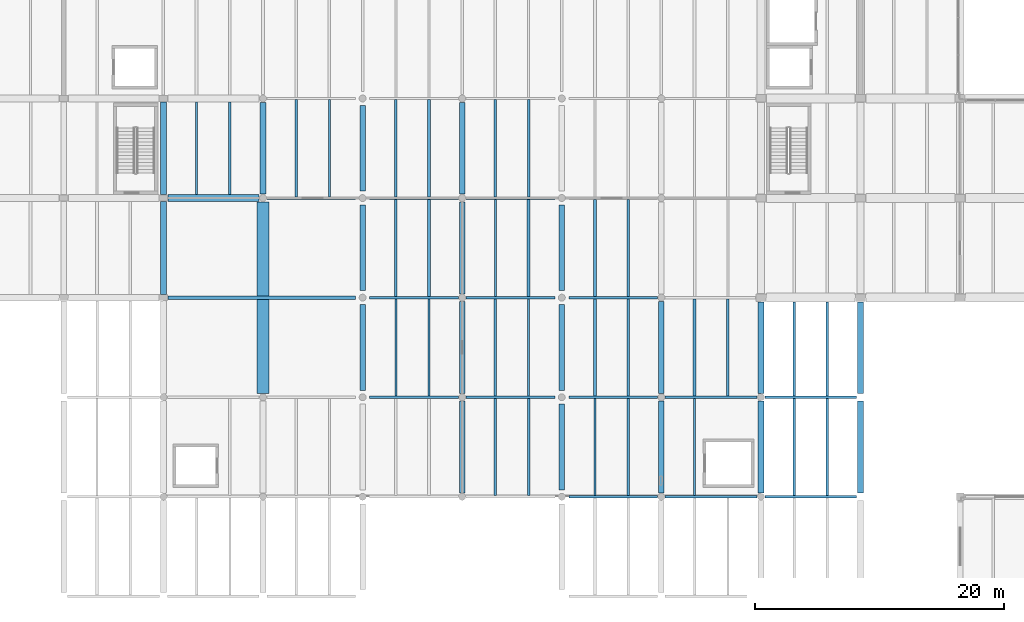
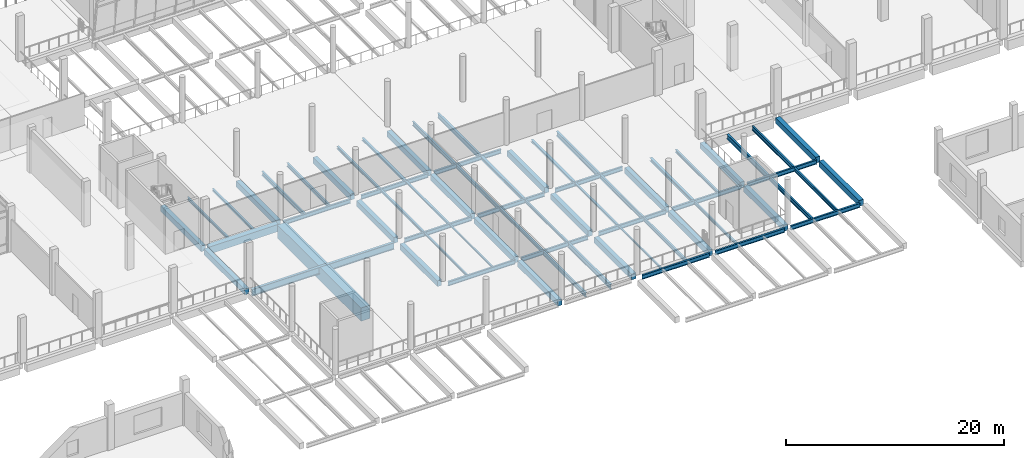
# One storey, part 6 of 61: 67 beams.
"""IFC4 building model written with IfcOpenShell, lengths in metres."""

import ifcopenshell
import ifcopenshell.guid

model = None  # the IFC model being written
_history = None  # IfcOwnerHistory: only IFC2X3 demands one
_inside = {}  # id of a spatial element -> (the spatial element, [elements in it])
_under = {}  # id of a project, library or spatial element -> (it, [spatial elements below it])
_declared = {}  # id of a project -> (the project, [libraries it declares])
_typed = {}  # id of a type object -> (the type object, [elements of that type])
_made_of = {}  # id of a material, layer set ... -> (it, [elements and type objects made of it])


def new_model(schema):
    """Start an empty IFC model of exactly this schema.

    Asked for "IFC4X3", IfcOpenShell would pick the latest addendum, in which some entities
    have other attributes; the version numbers below select the first issue.
    IFC2X3 requires an IfcOwnerHistory on every rooted entity: one is made here for all.
    """
    global model, _history
    if schema == "IFC4X3":
        model = ifcopenshell.file(schema_version=(4, 3, 0, 0))
    else:
        model = ifcopenshell.file(schema=schema)
    _inside.clear()
    _under.clear()
    _declared.clear()
    _typed.clear()
    _made_of.clear()
    _history = None
    if model.schema == "IFC2X3":
        org = make("IfcOrganization", Name="unknown")
        user = make(
            "IfcPersonAndOrganization",
            ThePerson=make("IfcPerson", FamilyName="unknown"),
            TheOrganization=org,
        )
        app = make(
            "IfcApplication",
            ApplicationDeveloper=org,
            Version="unknown",
            ApplicationFullName="unknown",
            ApplicationIdentifier="unknown",
        )
        _history = make(
            "IfcOwnerHistory",
            OwningUser=user,
            OwningApplication=app,
            ChangeAction="ADDED",
            CreationDate=0,
        )
    return model


def make(cls, **values):
    """One entity of the class cls with the attributes given. An attribute that is None is left unset."""
    return model.create_entity(
        cls, **{name: value for name, value in values.items() if value is not None}
    )


def rooted(cls, **values):
    """An entity with a GlobalId (a new one), such as an element, a storey or a relation."""
    return make(cls, GlobalId=ifcopenshell.guid.new(), OwnerHistory=_history, **values)


def si_unit(unit_type, name, prefix=None):
    """IfcSIUnit, for example si_unit("LENGTHUNIT", "METRE", prefix="MILLI")."""
    return make("IfcSIUnit", UnitType=unit_type, Prefix=prefix, Name=name)


def assignment(units):
    """IfcUnitAssignment: the units of a project."""
    return None if units is None else make("IfcUnitAssignment", Units=units)


def point(xyz):
    """IfcCartesianPoint."""
    return None if xyz is None else make("IfcCartesianPoint", Coordinates=xyz)


def direction(xyz):
    """IfcDirection."""
    return None if xyz is None else make("IfcDirection", DirectionRatios=xyz)


def frame(location, z_axis=None, x_axis=None):
    """IfcAxis2Placement3D, a coordinate frame: its origin and axes. An axis left out is left unset."""
    return make(
        "IfcAxis2Placement3D",
        Location=point(location),
        Axis=direction(z_axis),
        RefDirection=direction(x_axis),
    )


def frame_2d(location, x_axis=None):
    """IfcAxis2Placement2D, a coordinate frame in the plane: its origin and x axis."""
    return make(
        "IfcAxis2Placement2D", Location=point(location), RefDirection=direction(x_axis)
    )


def origin():
    """The frame at (0, 0, 0) with its axes left unset."""
    return frame((0.0, 0.0, 0.0))


def origin_2d():
    """The frame at (0, 0) in the plane with its x axis left unset."""
    return frame_2d((0.0, 0.0))


def place(relative_to, where):
    """IfcLocalPlacement: puts the frame where relative to a parent placement (None: the world)."""
    return make(
        "IfcLocalPlacement", PlacementRelTo=relative_to, RelativePlacement=where
    )


def context(
    kind, dimensions, precision=None, world=None, true_north=None, identifier=None
):
    """IfcGeometricRepresentationContext, for example the 3D "Model" context."""
    return make(
        "IfcGeometricRepresentationContext",
        ContextIdentifier=identifier,
        ContextType=kind,
        CoordinateSpaceDimension=dimensions,
        Precision=precision,
        WorldCoordinateSystem=world,
        TrueNorth=true_north,
    )


def subcontext(parent, identifier, kind, view, scale=None):
    """IfcGeometricRepresentationSubContext, for example "Body" below "Model"."""
    return make(
        "IfcGeometricRepresentationSubContext",
        ContextIdentifier=identifier,
        ContextType=kind,
        ParentContext=parent,
        TargetScale=scale,
        TargetView=view,
    )


def project(units=None, contexts=None):
    """IfcProject with its units and contexts."""
    return rooted(
        "IfcProject",
        Name="project",
        RepresentationContexts=contexts,
        UnitsInContext=assignment(units),
    )


def spatial(cls, under=None, at=None, **own):
    """A site, building, storey or space (cls), placed at a placement, below another one or the project."""
    s = rooted(cls, ObjectPlacement=at, **own)
    if under is not None:
        _under.setdefault(under.id(), (under, []))[1].append(s)
    return s


def profile(cls, at=None, kind="AREA", **sizes):
    """A parametric profile (cls). Its sizes go by their IFC names, for example OverallWidth=200.0."""
    return make(cls, ProfileType=kind, Position=at, **sizes)


def rectangle(**sizes):
    """IfcRectangleProfileDef."""
    return profile("IfcRectangleProfileDef", **sizes)


def i_section(**sizes):
    """IfcIShapeProfileDef."""
    return profile("IfcIShapeProfileDef", **sizes)


def extrude(swept, where, along, depth):
    """IfcExtrudedAreaSolid: the profile swept, set in the frame where, extruded along a direction by depth."""
    return make(
        "IfcExtrudedAreaSolid",
        SweptArea=swept,
        Position=where,
        ExtrudedDirection=direction(along),
        Depth=depth,
    )


def shape(context_of_items, identifier, shape_type, items):
    """IfcShapeRepresentation: the items that make up one representation, for example the "Body"."""
    return make(
        "IfcShapeRepresentation",
        ContextOfItems=context_of_items,
        RepresentationIdentifier=identifier,
        RepresentationType=shape_type,
        Items=items,
    )


def material(Name=None, Category=None):
    """IfcMaterial."""
    return make("IfcMaterial", Name=Name, Category=Category)


def material_profile(
    of_material, cross_section, Name=None, Category=None, Priority=None
):
    """IfcMaterialProfile: a cross section and its material."""
    return make(
        "IfcMaterialProfile",
        Name=Name,
        Material=of_material,
        Profile=cross_section,
        Priority=Priority,
        Category=Category,
    )


def profile_set(profiles, Name=None, composite=None):
    """IfcMaterialProfileSet."""
    return make(
        "IfcMaterialProfileSet",
        Name=Name,
        MaterialProfiles=profiles,
        CompositeProfile=composite,
    )


def made_of(thing, what):
    """Note that an element or type object is made of a material, layer set ...; save() writes the relation."""
    if what is not None:
        _made_of.setdefault(what.id(), (what, []))[1].append(thing)
    return thing


def type_object(cls, material=None, **own):
    """A type object (cls), such as IfcWallType, which elements share."""
    return made_of(rooted(cls, **own), material)


def element(
    cls,
    number,
    at=None,
    inside=None,
    cuts=None,
    type_object=None,
    material=None,
    context=None,
    identifier="Body",
    shape_type=None,
    held_by="IfcProductDefinitionShape",
    body=None,
    shapes=None,
    **own,
):
    """One element of the class cls, such as IfcWall. Its Tag is "e" and its number.

    at: its placement. inside: the storey or other place that contains it. cuts: it is an
    opening in that element (IfcRelVoidsElement). A single representation is given by context,
    identifier, shape_type and body (its items); several are given by shapes. held_by: the class
    of the entity that holds the representations. save() writes the other relations.
    """
    e = rooted(cls, Tag="e%d" % number, ObjectPlacement=at, **own)
    if body is not None:
        shapes = [shape(context, identifier, shape_type, body)]
    if shapes is not None:
        e.Representation = make(held_by, Representations=shapes)
    if inside is not None:
        _inside.setdefault(inside.id(), (inside, []))[1].append(e)
    if cuts is not None:
        rooted(
            "IfcRelVoidsElement", RelatingBuildingElement=cuts, RelatedOpeningElement=e
        )
    if type_object is not None:
        _typed.setdefault(type_object.id(), (type_object, []))[1].append(e)
    return made_of(e, material)


def aggregate(whole, parts):
    """IfcRelAggregates: a whole, such as a stair, and the parts it consists of."""
    return rooted("IfcRelAggregates", RelatingObject=whole, RelatedObjects=parts)


def save(model, path):
    """Write the relations noted so far, then the file.

    IfcRelAggregates (storeys below a building ...), IfcRelContainedInSpatialStructure (elements
    in a storey), IfcRelDefinesByType, IfcRelAssociatesMaterial and IfcRelDeclares: one each for
    every whole, place, type object, material and project.
    """
    for whole, parts in _under.values():
        aggregate(whole, parts)
    for where, things in _inside.values():
        rooted(
            "IfcRelContainedInSpatialStructure",
            RelatedElements=things,
            RelatingStructure=where,
        )
    for kind, things in _typed.values():
        rooted("IfcRelDefinesByType", RelatedObjects=things, RelatingType=kind)
    for what, things in _made_of.values():
        rooted("IfcRelAssociatesMaterial", RelatedObjects=things, RelatingMaterial=what)
    for by, libraries in _declared.values():
        rooted("IfcRelDeclares", RelatingContext=by, RelatedDefinitions=libraries)
    model.write(path)


model = new_model("IFC4")

# Units and contexts
model_context = context("Model", 3, precision=1e-05, world=origin(), true_north=direction((0.0, 1.0)))
body_context = subcontext(model_context, "Body", "Model", "MODEL_VIEW")
ifc_project = project(units=[si_unit("LENGTHUNIT", "METRE"), si_unit("AREAUNIT", "SQUARE_METRE"), si_unit("VOLUMEUNIT", "CUBIC_METRE"), si_unit("PLANEANGLEUNIT", "RADIAN"), si_unit("MASSUNIT", "GRAM", prefix="KILO")], contexts=[model_context])

# Site, building, storey
site_placement = place(None, origin())
site = spatial("IfcSite", under=ifc_project, at=site_placement, CompositionType="ELEMENT")
building_placement = place(site_placement, origin())
building = spatial("IfcBuilding", under=site, at=building_placement, Name="Pecanmere Concourse Central Library", CompositionType="ELEMENT")
storey_placement = place(building_placement, frame((0.0, 0.0, 5.39990234375)))
storey = spatial("IfcBuildingStorey", under=building, at=storey_placement, Name="L02", CompositionType="ELEMENT", Elevation=5.39990234375)

# Beams
ifc_material_1 = material(Name="Concrete C40/50", Category="concrete")
ifc_material_profile_1 = material_profile(ifc_material_1, rectangle(XDim=0.4599609375, YDim=0.64990234375, at=origin_2d()), Name="RC 460x650")
ifc_profile_set_1 = profile_set([ifc_material_profile_1], Name="Concrete C40/50")
beam_type_1 = type_object("IfcBeamType", Name="GRD_460x650", PredefinedType="USERDEFINED", material=ifc_profile_set_1)
for number, where, z_axis, x_axis, name in (
    (1, (64.0, 48.27001953125, -0.69482421875), (0.0, 1.0, 0.0), (-1.0, 0.0, 0.0), "Primary Girder Y L02-1024"),
    (2, (64.0, 56.27001953125, -0.69482421875), (0.0, 1.0, 0.0), (-1.0, 0.0, 0.0), "Primary Girder Y L02-1025"),
):
    element("IfcBeam", number, at=place(storey_placement, frame(where, z_axis=z_axis, x_axis=x_axis)), inside=storey, type_object=beam_type_1, Name=name, ObjectType="GIRDER", PredefinedType="USERDEFINED", context=body_context, shape_type="SweptSolid", body=[
        extrude(rectangle(XDim=0.4599609375, YDim=0.64990234375, at=origin_2d()), origin(), (0.0, 0.0, 1.0), 7.4599609375),
    ])
beam_1_placement = place(storey_placement, frame((72.0, 56.31005859375, -0.69482421875), z_axis=(0.0, 1.0, 0.0), x_axis=(-1.0, 0.0, 0.0)))
element("IfcBeam", 3, at=beam_1_placement, inside=storey, type_object=beam_type_1, Name="Primary Girder Y L02-1034", ObjectType="GIRDER", PredefinedType="USERDEFINED", context=body_context, shape_type="SweptSolid", body=[
    extrude(rectangle(XDim=0.4599609375, YDim=0.64990234375, at=origin_2d()), origin(), (0.0, 0.0, 1.0), 7.3798828125),
])
for number, where, z_axis, x_axis, name in (
    (4, (80.0, 40.56005859375, -0.69482421875), (0.0, 1.0, 0.0), (-1.0, 0.0, 0.0), "Primary Girder Y L02-1044"),
    (5, (80.0, 48.56005859375, -0.69482421875), (0.0, 1.0, 0.0), (-1.0, 0.0, 0.0), "Primary Girder Y L02-1045"),
    (6, (80.0, 56.56005859375, -0.69482421875), (0.0, 1.0, 0.0), (-1.0, 0.0, 0.0), "Primary Girder Y L02-1046"),
):
    element("IfcBeam", number, at=place(storey_placement, frame(where, z_axis=z_axis, x_axis=x_axis)), inside=storey, type_object=beam_type_1, Name=name, ObjectType="GIRDER", PredefinedType="USERDEFINED", context=body_context, shape_type="SweptSolid", body=[
        extrude(rectangle(XDim=0.4599609375, YDim=0.64990234375, at=origin_2d()), origin(), (0.0, 0.0, 1.0), 6.8798828125),
    ])
for number, where, z_axis, x_axis, name in (
    (7, (88.0, 32.31005859375, -0.69482421875), (0.0, 1.0, 0.0), (-1.0, 0.0, 0.0), "Primary Girder Y L02-1053"),
    (8, (88.0, 40.31005859375, -0.69482421875), (0.0, 1.0, 0.0), (-1.0, 0.0, 0.0), "Primary Girder Y L02-1054"),
    (9, (88.0, 48.31005859375, -0.69482421875), (0.0, 1.0, 0.0), (-1.0, 0.0, 0.0), "Primary Girder Y L02-1055"),
    (10, (88.0, 56.31005859375, -0.69482421875), (0.0, 1.0, 0.0), (-1.0, 0.0, 0.0), "Primary Girder Y L02-1056"),
):
    element("IfcBeam", number, at=place(storey_placement, frame(where, z_axis=z_axis, x_axis=x_axis)), inside=storey, type_object=beam_type_1, Name=name, ObjectType="GIRDER", PredefinedType="USERDEFINED", context=body_context, shape_type="SweptSolid", body=[
        extrude(rectangle(XDim=0.4599609375, YDim=0.64990234375, at=origin_2d()), origin(), (0.0, 0.0, 1.0), 7.3798828125),
    ])
for number, where, z_axis, x_axis, name in (
    (11, (96.0, 32.56005859375, -0.69482421875), (0.0, 1.0, 0.0), (-1.0, 0.0, 0.0), "Primary Girder Y L02-1063"),
    (12, (96.0, 40.56005859375, -0.69482421875), (0.0, 1.0, 0.0), (-1.0, 0.0, 0.0), "Primary Girder Y L02-1064"),
    (13, (96.0, 48.56005859375, -0.69482421875), (0.0, 1.0, 0.0), (-1.0, 0.0, 0.0), "Primary Girder Y L02-1065"),
):
    element("IfcBeam", number, at=place(storey_placement, frame(where, z_axis=z_axis, x_axis=x_axis)), inside=storey, type_object=beam_type_1, Name=name, ObjectType="GIRDER", PredefinedType="USERDEFINED", context=body_context, shape_type="SweptSolid", body=[
        extrude(rectangle(XDim=0.4599609375, YDim=0.64990234375, at=origin_2d()), origin(), (0.0, 0.0, 1.0), 6.8798828125),
    ])
for number, where, z_axis, x_axis, name in (
    (14, (104.0, 32.31005859375, -0.69482421875), (0.0, 1.0, 0.0), (-1.0, 0.0, 0.0), "Primary Girder Y L02-1075"),
    (15, (104.0, 40.31005859375, -0.69482421875), (0.0, 1.0, 0.0), (-1.0, 0.0, 0.0), "Primary Girder Y L02-1076"),
    (16, (112.0, 32.31005859375, -0.69482421875), (0.0, 1.0, 0.0), (-1.0, 0.0, 0.0), "Primary Girder Y L02-1087"),
):
    element("IfcBeam", number, at=place(storey_placement, frame(where, z_axis=z_axis, x_axis=x_axis)), inside=storey, type_object=beam_type_1, Name=name, ObjectType="GIRDER", PredefinedType="USERDEFINED", context=body_context, shape_type="SweptSolid", body=[
        extrude(rectangle(XDim=0.4599609375, YDim=0.64990234375, at=origin_2d()), origin(), (0.0, 0.0, 1.0), 7.3798828125),
    ])
beam_2_placement = place(storey_placement, frame((112.0, 40.31005859375, -0.69482421875), z_axis=(0.0, 1.0, 0.0), x_axis=(-1.0, 0.0, 0.0)))
element("IfcBeam", 17, at=beam_2_placement, inside=storey, type_object=beam_type_1, Name="Primary Girder Y L02-1088", ObjectType="GIRDER", PredefinedType="USERDEFINED", context=body_context, shape_type="SweptSolid", body=[
    extrude(rectangle(XDim=0.4599609375, YDim=0.64990234375, at=origin_2d()), origin(), (0.0, 0.0, 1.0), 7.35986328125),
])
beam_3_placement = place(storey_placement, frame((120.0, 32.31005859375, -0.69482421875), z_axis=(0.0, 1.0, 0.0), x_axis=(-1.0, 0.0, 0.0)))
element("IfcBeam", 18, at=beam_3_placement, inside=storey, type_object=beam_type_1, Name="Primary Girder Y L02-1097", ObjectType="GIRDER", PredefinedType="USERDEFINED", context=body_context, shape_type="SweptSolid", body=[
    extrude(rectangle(XDim=0.4599609375, YDim=0.64990234375, at=origin_2d()), origin(), (0.0, 0.0, 1.0), 7.3798828125),
])
beam_4_placement = place(storey_placement, frame((120.0, 40.31005859375, -0.69482421875), z_axis=(0.0, 1.0, 0.0), x_axis=(-1.0, 0.0, 0.0)))
element("IfcBeam", 19, at=beam_4_placement, inside=storey, type_object=beam_type_1, Name="Primary Girder Y L02-1098", ObjectType="GIRDER", PredefinedType="USERDEFINED", context=body_context, shape_type="SweptSolid", body=[
    extrude(rectangle(XDim=0.4599609375, YDim=0.64990234375, at=origin_2d()), origin(), (0.0, 0.0, 1.0), 7.35986328125),
])
ifc_material_2 = material(Name="Concrete C40/50", Category="concrete")
ifc_material_profile_2 = material_profile(ifc_material_2, rectangle(XDim=0.5400390625, YDim=0.800048828125, at=origin_2d()), Name="RC 540x800")
ifc_profile_set_2 = profile_set([ifc_material_profile_2], Name="Concrete C40/50")
beam_type_2 = type_object("IfcBeamType", Name="GRD_540x800", PredefinedType="USERDEFINED", material=ifc_profile_set_2)
beam_5_placement = place(storey_placement, frame((64.3701171875, 56.0, -0.77001953125), z_axis=(1.0, 0.0, 0.0), x_axis=(0.0, 1.0, 0.0)))
element("IfcBeam", 20, at=beam_5_placement, inside=storey, type_object=beam_type_2, Name="Primary Girder X L02-0858", ObjectType="GIRDER", PredefinedType="USERDEFINED", context=body_context, shape_type="SweptSolid", body=[
    extrude(rectangle(XDim=0.5400390625, YDim=0.800048828125, at=origin_2d()), origin(), (0.0, 0.0, 1.0), 7.31982421875),
])
ifc_material_3 = material(Name="Structural steel ASTM A992 Grade 50", Category="steel")
ifc_material_profile_3 = material_profile(ifc_material_3, i_section(OverallWidth=0.152099609375, OverallDepth=0.152099609375, WebThickness=0.005859375, FlangeThickness=0.006591796875, at=origin_2d()), Name="W150x22.5")
ifc_profile_set_3 = profile_set([ifc_material_profile_3], Name="Structural steel ASTM A992 Grade 50")
beam_type_3 = type_object("IfcBeamType", Name="SBM_W150x22", PredefinedType="LINTEL", material=ifc_profile_set_3)
for number, where, z_axis, x_axis, name in (
    (21, (85.333251953125, 40.096923828125, -0.44580078125), (0.0, 1.0, 0.0), (-1.0, 0.0, 0.0), "Secondary Floor Joist L02-1294"),
    (22, (98.666748046875, 32.096923828125, -0.44580078125), (0.0, 1.0, 0.0), (-1.0, 0.0, 0.0), "Secondary Floor Joist L02-1327"),
):
    element("IfcBeam", number, at=place(storey_placement, frame(where, z_axis=z_axis, x_axis=x_axis)), inside=storey, type_object=beam_type_3, Name=name, PredefinedType="LINTEL", context=body_context, shape_type="SweptSolid", body=[
        extrude(i_section(OverallWidth=0.152099609375, OverallDepth=0.152099609375, WebThickness=0.005859375, FlangeThickness=0.006591796875, at=origin_2d()), origin(), (0.0, 0.0, 1.0), 7.80615234375),
    ])
ifc_material_4 = material(Name="Structural steel ASTM A992 Grade 50", Category="steel")
ifc_material_profile_4 = material_profile(ifc_material_4, i_section(OverallWidth=0.1650390625, OverallDepth=0.200927734375, WebThickness=0.006103515625, FlangeThickness=0.01025390625, at=origin_2d()), Name="W200x35.9")
ifc_profile_set_4 = profile_set([ifc_material_profile_4], Name="Structural steel ASTM A992 Grade 50")
beam_type_4 = type_object("IfcBeamType", Name="SBM_W200x36", PredefinedType="LINTEL", material=ifc_profile_set_4)
beam_6_placement = place(storey_placement, frame((82.666748046875, 40.096923828125, -0.470458984375), z_axis=(0.0, 1.0, 0.0), x_axis=(-1.0, 0.0, 0.0)))
element("IfcBeam", 23, at=beam_6_placement, inside=storey, type_object=beam_type_4, Name="Secondary Floor Joist L02-1293", PredefinedType="LINTEL", context=body_context, shape_type="SweptSolid", body=[
    extrude(i_section(OverallWidth=0.1650390625, OverallDepth=0.200927734375, WebThickness=0.006103515625, FlangeThickness=0.01025390625, at=origin_2d()), origin(), (0.0, 0.0, 1.0), 7.80615234375),
])
ifc_material_5 = material(Name="Structural steel ASTM A992 Grade 50", Category="steel")
ifc_material_profile_5 = material_profile(ifc_material_5, i_section(OverallWidth=0.2041015625, OverallDepth=0.2060546875, WebThickness=0.0078125, FlangeThickness=0.0126953125, at=origin_2d()), Name="W200x52")
ifc_profile_set_5 = profile_set([ifc_material_profile_5], Name="Structural steel ASTM A992 Grade 50")
beam_type_5 = type_object("IfcBeamType", Name="SBM_W200x52", PredefinedType="JOIST", material=ifc_profile_set_5)
for number, where, z_axis, x_axis, name in (
    (24, (85.333251953125, 48.096923828125, -0.472900390625), (0.0, 1.0, 0.0), (-1.0, 0.0, 0.0), "Secondary Floor Joist L02-1296"),
    (25, (98.666748046875, 40.096923828125, -0.472900390625), (0.0, 1.0, 0.0), (-1.0, 0.0, 0.0), "Secondary Floor Joist L02-1329"),
):
    element("IfcBeam", number, at=place(storey_placement, frame(where, z_axis=z_axis, x_axis=x_axis)), inside=storey, type_object=beam_type_5, Name=name, PredefinedType="JOIST", context=body_context, shape_type="SweptSolid", body=[
        extrude(i_section(OverallWidth=0.2041015625, OverallDepth=0.2060546875, WebThickness=0.0078125, FlangeThickness=0.0126953125, at=origin_2d()), origin(), (0.0, 0.0, 1.0), 7.80615234375),
    ])
ifc_material_6 = material(Name="Structural steel ASTM A992 Grade 50", Category="steel")
ifc_material_profile_6 = material_profile(ifc_material_6, i_section(OverallWidth=0.201904296875, OverallDepth=0.2470703125, WebThickness=0.00732421875, FlangeThickness=0.010986328125, at=origin_2d()), Name="W250x49.1")
ifc_profile_set_6 = profile_set([ifc_material_profile_6], Name="Structural steel ASTM A992 Grade 50")
beam_type_6 = type_object("IfcBeamType", Name="SBM_W250x49", PredefinedType="JOIST", material=ifc_profile_set_6)
beam_7_placement = place(storey_placement, frame((69.333251953125, 56.27001953125, -0.493408203125), z_axis=(0.0, 1.0, 0.0), x_axis=(-1.0, 0.0, 0.0)))
element("IfcBeam", 26, at=beam_7_placement, inside=storey, type_object=beam_type_6, Name="Secondary Floor Joist L02-1265", PredefinedType="JOIST", context=body_context, shape_type="SweptSolid", body=[
    extrude(i_section(OverallWidth=0.201904296875, OverallDepth=0.2470703125, WebThickness=0.00732421875, FlangeThickness=0.010986328125, at=origin_2d()), origin(), (0.0, 0.0, 1.0), 7.4599609375),
])
beam_8_placement = place(storey_placement, frame((82.666748046875, 48.096923828125, -0.493408203125), z_axis=(0.0, 1.0, 0.0), x_axis=(-1.0, 0.0, 0.0)))
element("IfcBeam", 27, at=beam_8_placement, inside=storey, type_object=beam_type_6, Name="Secondary Floor Joist L02-1295", PredefinedType="JOIST", context=body_context, shape_type="SweptSolid", body=[
    extrude(i_section(OverallWidth=0.201904296875, OverallDepth=0.2470703125, WebThickness=0.00732421875, FlangeThickness=0.010986328125, at=origin_2d()), origin(), (0.0, 0.0, 1.0), 7.80615234375),
])
ifc_material_7 = material(Name="Structural steel ASTM A992 Grade 50", Category="steel")
ifc_material_profile_7 = material_profile(ifc_material_7, i_section(OverallWidth=0.25390625, OverallDepth=0.2529296875, WebThickness=0.008544921875, FlangeThickness=0.01416015625, at=origin_2d()), Name="W250x73")
ifc_profile_set_7 = profile_set([ifc_material_profile_7], Name="Structural steel ASTM A992 Grade 50")
beam_type_7 = type_object("IfcBeamType", Name="SBM_W250x73", PredefinedType="BEAM", material=ifc_profile_set_7)
for number, where, z_axis, x_axis, name in (
    (28, (85.333251953125, 56.096923828125, -0.496337890625), (0.0, 1.0, 0.0), (-1.0, 0.0, 0.0), "Secondary Floor Joist L02-1298"),
    (29, (98.666748046875, 48.096923828125, -0.496337890625), (0.0, 1.0, 0.0), (-1.0, 0.0, 0.0), "Secondary Floor Joist L02-1331"),
):
    element("IfcBeam", number, at=place(storey_placement, frame(where, z_axis=z_axis, x_axis=x_axis)), inside=storey, type_object=beam_type_7, Name=name, PredefinedType="BEAM", context=body_context, shape_type="SweptSolid", body=[
        extrude(i_section(OverallWidth=0.25390625, OverallDepth=0.2529296875, WebThickness=0.008544921875, FlangeThickness=0.01416015625, at=origin_2d()), origin(), (0.0, 0.0, 1.0), 7.80615234375),
    ])
ifc_material_8 = material(Name="Structural steel ASTM A992 Grade 50", Category="steel")
ifc_material_profile_8 = material_profile(ifc_material_8, i_section(OverallWidth=0.1669921875, OverallDepth=0.31689453125, WebThickness=0.007568359375, FlangeThickness=0.01318359375, at=origin_2d()), Name="W310x52")
ifc_profile_set_8 = profile_set([ifc_material_profile_8], Name="Structural steel ASTM A992 Grade 50")
beam_type_8 = type_object("IfcBeamType", Name="SBM_W310x52", PredefinedType="JOIST", material=ifc_profile_set_8)
beam_9_placement = place(storey_placement, frame((66.666748046875, 56.27001953125, -0.5283203125), z_axis=(0.0, 1.0, 0.0), x_axis=(-1.0, 0.0, 0.0)))
element("IfcBeam", 30, at=beam_9_placement, inside=storey, type_object=beam_type_8, Name="Secondary Floor Joist L02-1264", PredefinedType="JOIST", context=body_context, shape_type="SweptSolid", body=[
    extrude(i_section(OverallWidth=0.1669921875, OverallDepth=0.31689453125, WebThickness=0.007568359375, FlangeThickness=0.01318359375, at=origin_2d()), origin(), (0.0, 0.0, 1.0), 7.4599609375),
])
for number, where, z_axis, x_axis, name in (
    (31, (93.333251953125, 40.096923828125, -0.5283203125), (0.0, 1.0, 0.0), (-1.0, 0.0, 0.0), "Secondary Floor Joist L02-1310"),
    (32, (106.666748046875, 32.096923828125, -0.5283203125), (0.0, 1.0, 0.0), (-1.0, 0.0, 0.0), "Secondary Floor Joist L02-1348"),
):
    element("IfcBeam", number, at=place(storey_placement, frame(where, z_axis=z_axis, x_axis=x_axis)), inside=storey, type_object=beam_type_8, Name=name, PredefinedType="JOIST", context=body_context, shape_type="SweptSolid", body=[
        extrude(i_section(OverallWidth=0.1669921875, OverallDepth=0.31689453125, WebThickness=0.007568359375, FlangeThickness=0.01318359375, at=origin_2d()), origin(), (0.0, 0.0, 1.0), 7.80615234375),
    ])
ifc_material_9 = material(Name="Structural steel ASTM A992 Grade 50", Category="steel")
ifc_material_profile_9 = material_profile(ifc_material_9, i_section(OverallWidth=0.205078125, OverallDepth=0.31005859375, WebThickness=0.009521484375, FlangeThickness=0.016357421875, at=origin_2d()), Name="W310x74")
ifc_profile_set_9 = profile_set([ifc_material_profile_9], Name="Structural steel ASTM A992 Grade 50")
beam_type_9 = type_object("IfcBeamType", Name="SBM_W310x74", PredefinedType="BEAM", material=ifc_profile_set_9)
for number, where, z_axis, x_axis, name in (
    (33, (82.666748046875, 56.096923828125, -0.52490234375), (0.0, 1.0, 0.0), (-1.0, 0.0, 0.0), "Secondary Floor Joist L02-1297"),
    (34, (109.333251953125, 40.096923828125, -0.52490234375), (0.0, 1.0, 0.0), (-1.0, 0.0, 0.0), "Secondary Floor Joist L02-1350"),
):
    element("IfcBeam", number, at=place(storey_placement, frame(where, z_axis=z_axis, x_axis=x_axis)), inside=storey, type_object=beam_type_9, Name=name, PredefinedType="BEAM", context=body_context, shape_type="SweptSolid", body=[
        extrude(i_section(OverallWidth=0.205078125, OverallDepth=0.31005859375, WebThickness=0.009521484375, FlangeThickness=0.016357421875, at=origin_2d()), origin(), (0.0, 0.0, 1.0), 7.80615234375),
    ])
ifc_material_10 = material(Name="Structural steel ASTM A992 Grade 50", Category="steel")
ifc_material_profile_10 = material_profile(ifc_material_10, i_section(OverallWidth=0.202880859375, OverallDepth=0.346923828125, WebThickness=0.0078125, FlangeThickness=0.013427734375, at=origin_2d()), Name="W360x64")
ifc_profile_set_10 = profile_set([ifc_material_profile_10], Name="Structural steel ASTM A992 Grade 50")
beam_type_10 = type_object("IfcBeamType", Name="SBM_W360x64", PredefinedType="JOIST", material=ifc_profile_set_10)
beam_10_placement = place(storey_placement, frame((90.666748046875, 40.096923828125, -0.54345703125), z_axis=(0.0, 1.0, 0.0), x_axis=(-1.0, 0.0, 0.0)))
element("IfcBeam", 35, at=beam_10_placement, inside=storey, type_object=beam_type_10, Name="Secondary Floor Joist L02-1309", PredefinedType="JOIST", context=body_context, shape_type="SweptSolid", body=[
    extrude(i_section(OverallWidth=0.202880859375, OverallDepth=0.346923828125, WebThickness=0.0078125, FlangeThickness=0.013427734375, at=origin_2d()), origin(), (0.0, 0.0, 1.0), 7.80615234375),
])
ifc_material_11 = material(Name="Structural steel ASTM A992 Grade 50", Category="steel")
ifc_material_profile_11 = material_profile(ifc_material_11, i_section(OverallWidth=0.25390625, OverallDepth=0.35302734375, WebThickness=0.009521484375, FlangeThickness=0.016357421875, at=origin_2d()), Name="W360x91")
ifc_profile_set_11 = profile_set([ifc_material_profile_11], Name="Structural steel ASTM A992 Grade 50")
beam_type_11 = type_object("IfcBeamType", Name="SBM_W360x91", PredefinedType="BEAM", material=ifc_profile_set_11)
for number, where, z_axis, x_axis, name in (
    (36, (93.333251953125, 48.096923828125, -0.54638671875), (0.0, 1.0, 0.0), (-1.0, 0.0, 0.0), "Secondary Floor Joist L02-1312"),
    (37, (106.666748046875, 40.096923828125, -0.54638671875), (0.0, 1.0, 0.0), (-1.0, 0.0, 0.0), "Secondary Floor Joist L02-1349"),
):
    element("IfcBeam", number, at=place(storey_placement, frame(where, z_axis=z_axis, x_axis=x_axis)), inside=storey, type_object=beam_type_11, Name=name, PredefinedType="BEAM", context=body_context, shape_type="SweptSolid", body=[
        extrude(i_section(OverallWidth=0.25390625, OverallDepth=0.35302734375, WebThickness=0.009521484375, FlangeThickness=0.016357421875, at=origin_2d()), origin(), (0.0, 0.0, 1.0), 7.80615234375),
    ])
ifc_material_12 = material(Name="Structural steel ASTM A992 Grade 50", Category="steel")
ifc_material_profile_12 = material_profile(ifc_material_12, i_section(OverallWidth=0.177978515625, OverallDepth=0.406982421875, WebThickness=0.0078125, FlangeThickness=0.0126953125, at=origin_2d()), Name="W410x60")
ifc_profile_set_12 = profile_set([ifc_material_profile_12], Name="Structural steel ASTM A992 Grade 50")
beam_type_12 = type_object("IfcBeamType", Name="SBM_W410x60", PredefinedType="JOIST", material=ifc_profile_set_12)
beam_11_placement = place(storey_placement, frame((101.333251953125, 32.096923828125, -0.573486328125), z_axis=(0.0, 1.0, 0.0), x_axis=(-1.0, 0.0, 0.0)))
element("IfcBeam", 38, at=beam_11_placement, inside=storey, type_object=beam_type_12, Name="Secondary Floor Joist L02-1328", PredefinedType="JOIST", context=body_context, shape_type="SweptSolid", body=[
    extrude(i_section(OverallWidth=0.177978515625, OverallDepth=0.406982421875, WebThickness=0.0078125, FlangeThickness=0.0126953125, at=origin_2d()), origin(), (0.0, 0.0, 1.0), 7.80615234375),
])
ifc_material_13 = material(Name="Structural steel ASTM A992 Grade 50", Category="steel")
ifc_material_profile_13 = material_profile(ifc_material_13, i_section(OverallWidth=0.180908203125, OverallDepth=0.4169921875, WebThickness=0.010986328125, FlangeThickness=0.018310546875, at=origin_2d()), Name="W410x85")
ifc_profile_set_13 = profile_set([ifc_material_profile_13], Name="Structural steel ASTM A992 Grade 50")
beam_type_13 = type_object("IfcBeamType", Name="SBM_W410x85", PredefinedType="BEAM", material=ifc_profile_set_13)
for number, where, z_axis, x_axis, name in (
    (39, (77.333251953125, 56.096923828125, -0.578369140625), (0.0, 1.0, 0.0), (-1.0, 0.0, 0.0), "Secondary Floor Joist L02-1279"),
    (40, (90.666748046875, 48.096923828125, -0.578369140625), (0.0, 1.0, 0.0), (-1.0, 0.0, 0.0), "Secondary Floor Joist L02-1311"),
    (41, (117.333251953125, 32.096923828125, -0.578369140625), (0.0, 1.0, 0.0), (-1.0, 0.0, 0.0), "Secondary Floor Joist L02-1366"),
):
    element("IfcBeam", number, at=place(storey_placement, frame(where, z_axis=z_axis, x_axis=x_axis)), inside=storey, type_object=beam_type_13, Name=name, PredefinedType="BEAM", context=body_context, shape_type="SweptSolid", body=[
        extrude(i_section(OverallWidth=0.180908203125, OverallDepth=0.4169921875, WebThickness=0.010986328125, FlangeThickness=0.018310546875, at=origin_2d()), origin(), (0.0, 0.0, 1.0), 7.80615234375),
    ])
ifc_material_14 = material(Name="Structural steel ASTM A992 Grade 50", Category="steel")
ifc_material_profile_14 = material_profile(ifc_material_14, i_section(OverallWidth=0.194091796875, OverallDepth=0.468994140625, WebThickness=0.0126953125, FlangeThickness=0.0205078125, at=origin_2d()), Name="W460x106")
ifc_profile_set_14 = profile_set([ifc_material_profile_14], Name="Structural steel ASTM A992 Grade 50")
beam_type_14 = type_object("IfcBeamType", Name="SBM_W460x106", PredefinedType="USERDEFINED", material=ifc_profile_set_14)
beam_12_placement = place(storey_placement, frame((96.56005859375, 32.0, -0.6044921875), z_axis=(1.0, 0.0, 0.0), x_axis=(0.0, 1.0, 0.0)))
element("IfcBeam", 42, at=beam_12_placement, inside=storey, type_object=beam_type_14, Name="Primary Girder X L02-0821", ObjectType="GIRDER", PredefinedType="USERDEFINED", context=body_context, shape_type="SweptSolid", body=[
    extrude(i_section(OverallWidth=0.194091796875, OverallDepth=0.468994140625, WebThickness=0.0126953125, FlangeThickness=0.0205078125, at=origin_2d()), origin(), (0.0, 0.0, 1.0), 7.1298828125),
])
for number, where, z_axis, x_axis, name in (
    (43, (104.31005859375, 32.0, -0.6044921875), (1.0, 0.0, 0.0), (0.0, 1.0, 0.0), "Primary Girder X L02-0822"),
    (44, (112.31005859375, 32.0, -0.6044921875), (1.0, 0.0, 0.0), (0.0, 1.0, 0.0), "Primary Girder X L02-0823"),
):
    element("IfcBeam", number, at=place(storey_placement, frame(where, z_axis=z_axis, x_axis=x_axis)), inside=storey, type_object=beam_type_14, Name=name, ObjectType="GIRDER", PredefinedType="USERDEFINED", context=body_context, shape_type="SweptSolid", body=[
        extrude(i_section(OverallWidth=0.194091796875, OverallDepth=0.468994140625, WebThickness=0.0126953125, FlangeThickness=0.0205078125, at=origin_2d()), origin(), (0.0, 0.0, 1.0), 7.3798828125),
    ])
for number, where, z_axis, x_axis, name in (
    (45, (80.56005859375, 40.0, -0.6044921875), (1.0, 0.0, 0.0), (0.0, 1.0, 0.0), "Primary Girder X L02-0833"),
    (46, (88.31005859375, 40.0, -0.6044921875), (1.0, 0.0, 0.0), (0.0, 1.0, 0.0), "Primary Girder X L02-0834"),
    (47, (96.56005859375, 40.0, -0.6044921875), (1.0, 0.0, 0.0), (0.0, 1.0, 0.0), "Primary Girder X L02-0835"),
):
    element("IfcBeam", number, at=place(storey_placement, frame(where, z_axis=z_axis, x_axis=x_axis)), inside=storey, type_object=beam_type_14, Name=name, ObjectType="GIRDER", PredefinedType="USERDEFINED", context=body_context, shape_type="SweptSolid", body=[
        extrude(i_section(OverallWidth=0.194091796875, OverallDepth=0.468994140625, WebThickness=0.0126953125, FlangeThickness=0.0205078125, at=origin_2d()), origin(), (0.0, 0.0, 1.0), 7.1298828125),
    ])
for number, where, z_axis, x_axis, name in (
    (48, (104.31005859375, 40.0, -0.6044921875), (1.0, 0.0, 0.0), (0.0, 1.0, 0.0), "Primary Girder X L02-0836"),
    (49, (112.31005859375, 40.0, -0.6044921875), (1.0, 0.0, 0.0), (0.0, 1.0, 0.0), "Primary Girder X L02-0837"),
):
    element("IfcBeam", number, at=place(storey_placement, frame(where, z_axis=z_axis, x_axis=x_axis)), inside=storey, type_object=beam_type_14, Name=name, ObjectType="GIRDER", PredefinedType="USERDEFINED", context=body_context, shape_type="SweptSolid", body=[
        extrude(i_section(OverallWidth=0.194091796875, OverallDepth=0.468994140625, WebThickness=0.0126953125, FlangeThickness=0.0205078125, at=origin_2d()), origin(), (0.0, 0.0, 1.0), 7.3798828125),
    ])
for number, where, z_axis, x_axis, name in (
    (50, (80.56005859375, 48.0, -0.6044921875), (1.0, 0.0, 0.0), (0.0, 1.0, 0.0), "Primary Girder X L02-0844"),
    (51, (88.31005859375, 48.0, -0.6044921875), (1.0, 0.0, 0.0), (0.0, 1.0, 0.0), "Primary Girder X L02-0845"),
    (52, (96.56005859375, 48.0, -0.6044921875), (1.0, 0.0, 0.0), (0.0, 1.0, 0.0), "Primary Girder X L02-0846"),
    (53, (72.31005859375, 56.0, -0.6044921875), (1.0, 0.0, 0.0), (0.0, 1.0, 0.0), "Primary Girder X L02-0859"),
    (54, (80.56005859375, 56.0, -0.6044921875), (1.0, 0.0, 0.0), (0.0, 1.0, 0.0), "Primary Girder X L02-0860"),
    (55, (88.31005859375, 56.0, -0.6044921875), (1.0, 0.0, 0.0), (0.0, 1.0, 0.0), "Primary Girder X L02-0861"),
):
    element("IfcBeam", number, at=place(storey_placement, frame(where, z_axis=z_axis, x_axis=x_axis)), inside=storey, type_object=beam_type_14, Name=name, ObjectType="GIRDER", PredefinedType="USERDEFINED", context=body_context, shape_type="SweptSolid", body=[
        extrude(i_section(OverallWidth=0.194091796875, OverallDepth=0.468994140625, WebThickness=0.0126953125, FlangeThickness=0.0205078125, at=origin_2d()), origin(), (0.0, 0.0, 1.0), 7.1298828125),
    ])
for number, where, z_axis, x_axis, name in (
    (56, (90.666748046875, 32.096923828125, -0.6044921875), (0.0, 1.0, 0.0), (-1.0, 0.0, 0.0), "Secondary Floor Joist L02-1307"),
    (57, (90.666748046875, 56.096923828125, -0.6044921875), (0.0, 1.0, 0.0), (-1.0, 0.0, 0.0), "Secondary Floor Joist L02-1313"),
):
    element("IfcBeam", number, at=place(storey_placement, frame(where, z_axis=z_axis, x_axis=x_axis)), inside=storey, type_object=beam_type_14, Name=name, ObjectType="GIRDER", PredefinedType="USERDEFINED", context=body_context, shape_type="SweptSolid", body=[
        extrude(i_section(OverallWidth=0.194091796875, OverallDepth=0.468994140625, WebThickness=0.0126953125, FlangeThickness=0.0205078125, at=origin_2d()), origin(), (0.0, 0.0, 1.0), 7.80615234375),
    ])
beam_13_placement = place(storey_placement, frame((117.333251953125, 40.096923828125, -0.6044921875), z_axis=(0.0, 1.0, 0.0), x_axis=(-1.0, 0.0, 0.0)))
element("IfcBeam", 58, at=beam_13_placement, inside=storey, type_object=beam_type_14, Name="Secondary Floor Joist L02-1368", ObjectType="GIRDER", PredefinedType="USERDEFINED", context=body_context, shape_type="SweptSolid", body=[
    extrude(i_section(OverallWidth=0.194091796875, OverallDepth=0.468994140625, WebThickness=0.0126953125, FlangeThickness=0.0205078125, at=origin_2d()), origin(), (0.0, 0.0, 1.0), 7.54296875),
])
ifc_material_15 = material(Name="Structural steel ASTM A992 Grade 50", Category="steel")
ifc_material_profile_15 = material_profile(ifc_material_15, i_section(OverallWidth=0.18994140625, OverallDepth=0.45703125, WebThickness=0.009033203125, FlangeThickness=0.014404296875, at=origin_2d()), Name="W460x74")
ifc_profile_set_15 = profile_set([ifc_material_profile_15], Name="Structural steel ASTM A992 Grade 50")
beam_type_15 = type_object("IfcBeamType", Name="SBM_W460x74", PredefinedType="BEAM", material=ifc_profile_set_15)
for number, where, z_axis, x_axis, name in (
    (59, (74.666748046875, 56.096923828125, -0.598388671875), (0.0, 1.0, 0.0), (-1.0, 0.0, 0.0), "Secondary Floor Joist L02-1278"),
    (60, (101.333251953125, 40.096923828125, -0.598388671875), (0.0, 1.0, 0.0), (-1.0, 0.0, 0.0), "Secondary Floor Joist L02-1330"),
    (61, (114.666748046875, 32.096923828125, -0.598388671875), (0.0, 1.0, 0.0), (-1.0, 0.0, 0.0), "Secondary Floor Joist L02-1365"),
):
    element("IfcBeam", number, at=place(storey_placement, frame(where, z_axis=z_axis, x_axis=x_axis)), inside=storey, type_object=beam_type_15, Name=name, PredefinedType="BEAM", context=body_context, shape_type="SweptSolid", body=[
        extrude(i_section(OverallWidth=0.18994140625, OverallDepth=0.45703125, WebThickness=0.009033203125, FlangeThickness=0.014404296875, at=origin_2d()), origin(), (0.0, 0.0, 1.0), 7.80615234375),
    ])
ifc_material_16 = material(Name="Structural steel ASTM A992 Grade 50", Category="steel")
ifc_material_profile_16 = material_profile(ifc_material_16, i_section(OverallWidth=0.2109375, OverallDepth=0.5390625, WebThickness=0.01171875, FlangeThickness=0.018798828125, at=origin_2d()), Name="W530x109")
ifc_profile_set_16 = profile_set([ifc_material_profile_16], Name="Structural steel ASTM A992 Grade 50")
beam_type_16 = type_object("IfcBeamType", Name="SBM_W530x109", PredefinedType="USERDEFINED", material=ifc_profile_set_16)
for number, where, z_axis, x_axis, name in (
    (62, (93.333251953125, 32.096923828125, -0.639404296875), (0.0, 1.0, 0.0), (-1.0, 0.0, 0.0), "Secondary Floor Joist L02-1308"),
    (63, (93.333251953125, 56.096923828125, -0.639404296875), (0.0, 1.0, 0.0), (-1.0, 0.0, 0.0), "Secondary Floor Joist L02-1314"),
):
    element("IfcBeam", number, at=place(storey_placement, frame(where, z_axis=z_axis, x_axis=x_axis)), inside=storey, type_object=beam_type_16, Name=name, ObjectType="GIRDER", PredefinedType="USERDEFINED", context=body_context, shape_type="SweptSolid", body=[
        extrude(i_section(OverallWidth=0.2109375, OverallDepth=0.5390625, WebThickness=0.01171875, FlangeThickness=0.018798828125, at=origin_2d()), origin(), (0.0, 0.0, 1.0), 7.80615234375),
    ])
ifc_material_17 = material(Name="Structural steel ASTM A992 Grade 50", Category="steel")
ifc_material_profile_17 = material_profile(ifc_material_17, i_section(OverallWidth=0.208984375, OverallDepth=0.532958984375, WebThickness=0.01025390625, FlangeThickness=0.015625, at=origin_2d()), Name="W530x92")
ifc_profile_set_17 = profile_set([ifc_material_profile_17], Name="Structural steel ASTM A992 Grade 50")
beam_type_17 = type_object("IfcBeamType", Name="SBM_W530x92", PredefinedType="BEAM", material=ifc_profile_set_17)
beam_14_placement = place(storey_placement, frame((101.333251953125, 48.096923828125, -0.636474609375), z_axis=(0.0, 1.0, 0.0), x_axis=(-1.0, 0.0, 0.0)))
element("IfcBeam", 64, at=beam_14_placement, inside=storey, type_object=beam_type_17, Name="Secondary Floor Joist L02-1332", PredefinedType="BEAM", context=body_context, shape_type="SweptSolid", body=[
    extrude(i_section(OverallWidth=0.208984375, OverallDepth=0.532958984375, WebThickness=0.01025390625, FlangeThickness=0.015625, at=origin_2d()), origin(), (0.0, 0.0, 1.0), 7.80615234375),
])
beam_15_placement = place(storey_placement, frame((114.666748046875, 40.096923828125, -0.636474609375), z_axis=(0.0, 1.0, 0.0), x_axis=(-1.0, 0.0, 0.0)))
element("IfcBeam", 65, at=beam_15_placement, inside=storey, type_object=beam_type_17, Name="Secondary Floor Joist L02-1367", PredefinedType="BEAM", context=body_context, shape_type="SweptSolid", body=[
    extrude(i_section(OverallWidth=0.208984375, OverallDepth=0.532958984375, WebThickness=0.01025390625, FlangeThickness=0.015625, at=origin_2d()), origin(), (0.0, 0.0, 1.0), 7.54296875),
])
ifc_material_18 = material(Name="Structural steel ASTM A992 Grade 50", Category="steel")
ifc_material_profile_18 = material_profile(ifc_material_18, i_section(OverallWidth=0.26708984375, OverallDepth=0.76611328125, WebThickness=0.014892578125, FlangeThickness=0.023681640625, at=origin_2d()), Name="W760x185")
ifc_profile_set_18 = profile_set([ifc_material_profile_18], Name="Structural steel ASTM A992 Grade 50")
beam_type_18 = type_object("IfcBeamType", Name="SBM_W760x185", PredefinedType="USERDEFINED", material=ifc_profile_set_18)
beam_16_placement = place(storey_placement, frame((64.3701171875, 48.0, -0.7529296875), z_axis=(1.0, 0.0, 0.0), x_axis=(0.0, 1.0, 0.0)))
element("IfcBeam", 66, at=beam_16_placement, inside=storey, type_object=beam_type_18, Name="Primary Girder X L02-0843", ObjectType="GIRDER", PredefinedType="USERDEFINED", context=body_context, shape_type="SweptSolid", body=[
    extrude(i_section(OverallWidth=0.26708984375, OverallDepth=0.76611328125, WebThickness=0.014892578125, FlangeThickness=0.023681640625, at=origin_2d()), origin(), (0.0, 0.0, 1.0), 15.06982421875),
])
ifc_material_19 = material(Name="Concrete C40/50", Category="concrete")
ifc_material_profile_19 = material_profile(ifc_material_19, rectangle(XDim=0.949951171875, YDim=1.5, at=origin_2d()), Name="RC 950x1500")
ifc_profile_set_19 = profile_set([ifc_material_profile_19], Name="Concrete C40/50")
beam_type_19 = type_object("IfcBeamType", Name="TG_950x1500", PredefinedType="USERDEFINED", material=ifc_profile_set_19)
beam_17_placement = place(storey_placement, frame((72.0, 40.31005859375, -1.119873046875), z_axis=(0.0, 1.0, 0.0), x_axis=(-1.0, 0.0, 0.0)))
element("IfcBeam", 67, at=beam_17_placement, inside=storey, type_object=beam_type_19, Name="Primary Girder Y L02-1033", ObjectType="GIRDER", PredefinedType="USERDEFINED", context=body_context, shape_type="SweptSolid", body=[
    extrude(rectangle(XDim=0.949951171875, YDim=1.5, at=origin_2d()), origin(), (0.0, 0.0, 1.0), 15.3798828125),
])

save(model, "model.ifc")
